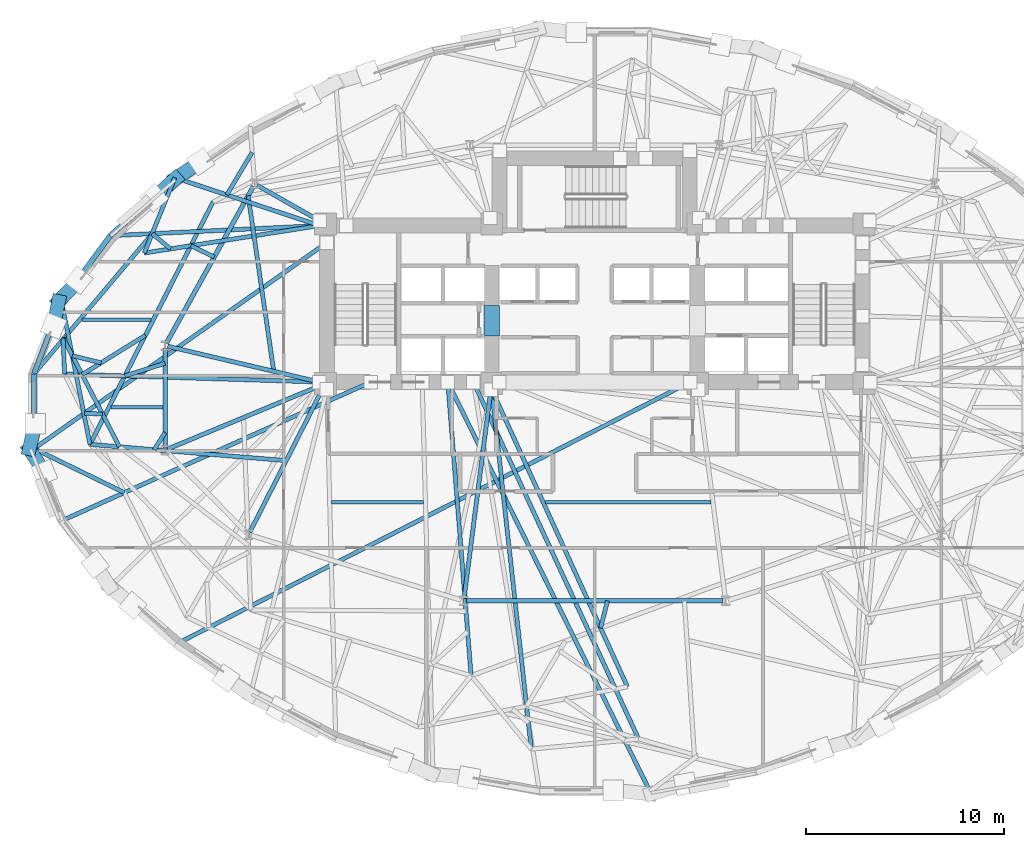
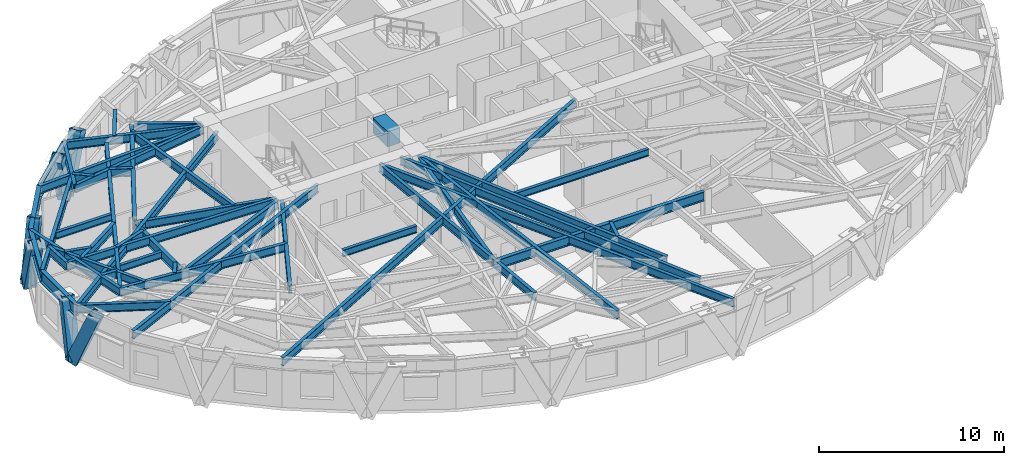
# One storey, part 2 of 15: 47 beams, 6 members.
"""IFC4 building model written with IfcOpenShell, lengths in metres."""

from ifc_helpers import new_model, si_unit, direction, frame, origin, origin_2d, place, context, subcontext, project, spatial, rectangle, hollow_rectangle, i_section, extrude, material, material_profile, profile_set, type_object, element, save


model = new_model("IFC4")

# Units and contexts
model_context = context("Model", 3, precision=1e-05, world=origin(), true_north=direction((0.0, 1.0)))
body_context = subcontext(model_context, "Body", "Model", "MODEL_VIEW")
ifc_project = project(units=[si_unit("LENGTHUNIT", "METRE"), si_unit("AREAUNIT", "SQUARE_METRE"), si_unit("VOLUMEUNIT", "CUBIC_METRE"), si_unit("PLANEANGLEUNIT", "RADIAN"), si_unit("MASSUNIT", "GRAM", prefix="KILO")], contexts=[model_context])

# Site, building, storey
site_placement = place(None, origin())
site = spatial("IfcSite", under=ifc_project, at=site_placement, CompositionType="ELEMENT")
building_placement = place(site_placement, origin())
building = spatial("IfcBuilding", under=site, at=building_placement, Name="Keldmark Tower", CompositionType="ELEMENT")
storey_placement = place(building_placement, frame((0.0, 0.0, 93.10009765625)))
storey = spatial("IfcBuildingStorey", under=building, at=storey_placement, Name="L24", CompositionType="ELEMENT", Elevation=93.10009765625)

# Beams
ifc_material_1 = material(Name="Steel ASTM A992 Grade 50", Category="steel")
ifc_material_profile_1 = material_profile(ifc_material_1, i_section(OverallWidth=0.19091796875, OverallDepth=0.45703125, WebThickness=0.009033203125, FlangeThickness=0.014404296875, at=origin_2d()), Name="W18X50")
ifc_profile_set_1 = profile_set([ifc_material_profile_1], Name="Steel ASTM A992 Grade 50")
beam_type_1 = type_object("IfcBeamType", Name="Composite Floor Joist W18X50", PredefinedType="JOIST", material=ifc_profile_set_1)
beam_1_placement = place(storey_placement, frame((-13.2841796875, -4.60009765625, 3.081298828125), z_axis=(1.0, 0.0, 0.0), x_axis=(0.0, 1.0, 0.0)))
element("IfcBeam", 1, at=beam_1_placement, inside=storey, type_object=beam_type_1, Name="L24 Composite Floor Joist J01", PredefinedType="JOIST", context=body_context, shape_type="SweptSolid", body=[
    extrude(i_section(OverallWidth=0.19091796875, OverallDepth=0.45703125, WebThickness=0.009033203125, FlangeThickness=0.014404296875, at=origin_2d()), origin(), (0.0, 0.0, 1.0), 4.64208984375),
])
beam_2_placement = place(storey_placement, frame((-2.492431640625, -4.60009765625, 3.081298828125), z_axis=(1.0, 0.0, 0.0), x_axis=(0.0, 1.0, 0.0)))
element("IfcBeam", 2, at=beam_2_placement, inside=storey, type_object=beam_type_1, Name="L24 Composite Floor Joist J02", PredefinedType="JOIST", context=body_context, shape_type="SweptSolid", body=[
    extrude(i_section(OverallWidth=0.19091796875, OverallDepth=0.45703125, WebThickness=0.009033203125, FlangeThickness=0.014404296875, at=origin_2d()), origin(), (0.0, 0.0, 1.0), 8.36572265625),
])
beam_3_placement = place(storey_placement, frame((-24.42431640625, 0.199951171875, 3.081298828125), z_axis=(1.0, 0.0, 0.0), x_axis=(0.0, 1.0, 0.0)))
element("IfcBeam", 3, at=beam_3_placement, inside=storey, type_object=beam_type_1, Name="L24 Composite Floor Joist J04", PredefinedType="JOIST", context=body_context, shape_type="SweptSolid", body=[
    extrude(i_section(OverallWidth=0.19091796875, OverallDepth=0.45703125, WebThickness=0.009033203125, FlangeThickness=0.014404296875, at=origin_2d()), origin(), (0.0, 0.0, 1.0), 2.621826171875),
])
beam_4_placement = place(storey_placement, frame((-25.88037109375, 4.6201171875, 3.081298828125), z_axis=(1.0, 0.0, 0.0), x_axis=(0.0, 1.0, 0.0)))
element("IfcBeam", 4, at=beam_4_placement, inside=storey, type_object=beam_type_1, Name="L24 Composite Floor Joist J06", PredefinedType="JOIST", context=body_context, shape_type="SweptSolid", body=[
    extrude(i_section(OverallWidth=0.19091796875, OverallDepth=0.45703125, WebThickness=0.009033203125, FlangeThickness=0.014404296875, at=origin_2d()), origin(), (0.0, 0.0, 1.0), 3.482177734375),
])
ifc_material_2 = material(Name="Concrete C70/85", Category="concrete")
ifc_material_profile_2 = material_profile(ifc_material_2, rectangle(XDim=0.800048828125, YDim=1.0, at=origin_2d()), Name="RCB800X1000")
ifc_profile_set_2 = profile_set([ifc_material_profile_2], Name="Concrete C70/85")
beam_type_2 = type_object("IfcBeamType", Name="Core Coupling Beam RCB800X1000", PredefinedType="USERDEFINED", material=ifc_profile_set_2)
beam_5_placement = place(storey_placement, frame((-5.199951171875, 3.800048828125, 2.809814453125), z_axis=(0.0, 1.0, 0.0), x_axis=(-1.0, 0.0, 0.0)))
element("IfcBeam", 5, at=beam_5_placement, inside=storey, type_object=beam_type_2, Name="L24 West Core Coupling Beam", ObjectType="COUPLING BEAM", PredefinedType="USERDEFINED", context=body_context, shape_type="SweptSolid", body=[
    extrude(rectangle(XDim=0.800048828125, YDim=1.0, at=origin_2d()), origin(), (0.0, 0.0, 1.0), 1.550048828125),
])

# Members
ifc_material_3 = material(Name="Steel ASTM A572 Grade 50", Category="steel")
ifc_material_profile_3 = material_profile(ifc_material_3, hollow_rectangle(XDim=0.699951171875, YDim=0.699951171875, WallThickness=0.054931640625, at=origin_2d()), Name="BOX700X700X55")
ifc_profile_set_3 = profile_set([ifc_material_profile_3], Name="Steel ASTM A572 Grade 50")
member_type = type_object("IfcMemberType", Name="Diagrid Zone 1 Brace BOX700X700X55", PredefinedType="BRACE", material=ifc_profile_set_3)
member_1_placement = place(storey_placement, frame((-21.16943359375, 11.751220703125, -0.27001953125), z_axis=(0.336388011128, 0.22621529339, 0.914149739925), x_axis=(-0.558037263463, 0.829815890778, 0.0)))
element("IfcMember", 6, at=member_1_placement, inside=storey, type_object=member_type, Name="L24 Perimeter Diagrid Brace 06B", PredefinedType="BRACE", context=body_context, shape_type="SweptSolid", body=[
    extrude(hollow_rectangle(XDim=0.699951171875, YDim=0.699951171875, WallThickness=0.054931640625, at=origin_2d()), origin(), (0.0, 0.0, 1.0), 3.784912109375),
])
member_2_placement = place(storey_placement, frame((-21.1611328125, 11.759521484375, -0.27001953125), z_axis=(-0.288013107273, -0.260967181173, 0.921381886293), x_axis=(0.671456277995, -0.741044173273, 0.0)))
element("IfcMember", 7, at=member_2_placement, inside=storey, type_object=member_type, Name="L24 Perimeter Diagrid Brace 07A", PredefinedType="BRACE", context=body_context, shape_type="SweptSolid", body=[
    extrude(hollow_rectangle(XDim=0.699951171875, YDim=0.699951171875, WallThickness=0.054931640625, at=origin_2d()), origin(), (0.0, 0.0, 1.0), 3.755126953125),
])
member_3_placement = place(storey_placement, frame((-27.07470703125, 5.5498046875, -0.27001953125), z_axis=(0.271688617998, 0.28375789981, 0.919601407755), x_axis=(-0.722300988168, 0.691578833172, 0.0)))
element("IfcMember", 8, at=member_3_placement, inside=storey, type_object=member_type, Name="L24 Perimeter Diagrid Brace 07B", PredefinedType="BRACE", context=body_context, shape_type="SweptSolid", body=[
    extrude(hollow_rectangle(XDim=0.699951171875, YDim=0.699951171875, WallThickness=0.054931640625, at=origin_2d()), origin(), (0.0, 0.0, 1.0), 3.762451171875),
])
member_4_placement = place(storey_placement, frame((-27.0703125, 5.560791015625, -0.27001953125), z_axis=(-0.070587021727, -0.340630341962, 0.937543834974), x_axis=(0.97919661889, -0.202913729337, 0.0)))
element("IfcMember", 9, at=member_4_placement, inside=storey, type_object=member_type, Name="L24 Perimeter Diagrid Brace 08A", PredefinedType="BRACE", context=body_context, shape_type="SweptSolid", body=[
    extrude(hollow_rectangle(XDim=0.699951171875, YDim=0.699951171875, WallThickness=0.054931640625, at=origin_2d()), origin(), (0.0, 0.0, 1.0), 3.6904296875),
])
member_5_placement = place(storey_placement, frame((-28.551513671875, -1.916015625, -0.27001953125), z_axis=(0.080671987459, 0.345840744275, 0.934818811342), x_axis=(-0.973856278511, 0.227165025485, 0.0)))
element("IfcMember", 10, at=member_5_placement, inside=storey, type_object=member_type, Name="L24 Perimeter Diagrid Brace 08B", PredefinedType="BRACE", context=body_context, shape_type="SweptSolid", body=[
    extrude(hollow_rectangle(XDim=0.699951171875, YDim=0.699951171875, WallThickness=0.054931640625, at=origin_2d()), origin(), (0.0, 0.0, 1.0), 3.701171875),
])
member_6_placement = place(storey_placement, frame((-28.551513671875, -1.904296875, -0.27001953125), z_axis=(0.203466548017, -0.319761131464, 0.925394068839), x_axis=(0.843682769413, 0.536842048089, 0.0)))
element("IfcMember", 11, at=member_6_placement, inside=storey, type_object=member_type, Name="L24 Perimeter Diagrid Brace 09A", PredefinedType="BRACE", context=body_context, shape_type="SweptSolid", body=[
    extrude(hollow_rectangle(XDim=0.699951171875, YDim=0.699951171875, WallThickness=0.054931640625, at=origin_2d()), origin(), (0.0, 0.0, 1.0), 3.739013671875),
])

# Beams
ifc_material_4 = material(Name="Steel ASTM A992 Grade 50", Category="steel")
ifc_material_profile_4 = material_profile(ifc_material_4, i_section(OverallWidth=0.22900390625, OverallDepth=0.612060546875, WebThickness=0.011962890625, FlangeThickness=0.01953125, at=origin_2d()), Name="W24X84")
ifc_profile_set_4 = profile_set([ifc_material_profile_4], Name="Steel ASTM A992 Grade 50")
beam_type_3 = type_object("IfcBeamType", Name="Primary Floor Girder W24X84", PredefinedType="BEAM", material=ifc_profile_set_4)
beam_6_placement = place(storey_placement, frame((-17.235107421875, 11.35595703125, 3.00390625), z_axis=(-0.484951836703, -0.874540860154, 0.0), x_axis=(0.874540860154, -0.484951836703, 0.0)))
element("IfcBeam", 12, at=beam_6_placement, inside=storey, type_object=beam_type_3, Name="L24 Floor Ring Girder FG-R05", PredefinedType="BEAM", context=body_context, shape_type="SweptSolid", body=[
    extrude(i_section(OverallWidth=0.22900390625, OverallDepth=0.612060546875, WebThickness=0.011962890625, FlangeThickness=0.01953125, at=origin_2d()), origin(), (0.0, 0.0, 1.0), 9.060302734375),
])
beam_7_placement = place(storey_placement, frame((-21.697021484375, 3.169921875, 3.00390625), z_axis=(0.0, -1.0, 0.0), x_axis=(1.0, 0.0, 0.0)))
element("IfcBeam", 13, at=beam_7_placement, inside=storey, type_object=beam_type_3, Name="L24 Floor Ring Girder FG-R06", PredefinedType="BEAM", context=body_context, shape_type="SweptSolid", body=[
    extrude(i_section(OverallWidth=0.22900390625, OverallDepth=0.612060546875, WebThickness=0.011962890625, FlangeThickness=0.01953125, at=origin_2d()), origin(), (0.0, 0.0, 1.0), 4.995849609375),
])
beam_8_placement = place(storey_placement, frame((-6.472900390625, -9.579345703125, 3.00390625), z_axis=(1.0, 0.0, 0.0), x_axis=(0.0, 1.0, 0.0)))
element("IfcBeam", 14, at=beam_8_placement, inside=storey, type_object=beam_type_3, Name="L24 Floor Ring Girder FG-R09", PredefinedType="BEAM", context=body_context, shape_type="SweptSolid", body=[
    extrude(i_section(OverallWidth=0.22900390625, OverallDepth=0.612060546875, WebThickness=0.011962890625, FlangeThickness=0.01953125, at=origin_2d()), origin(), (0.0, 0.0, 1.0), 12.94580078125),
])
ifc_material_5 = material(Name="Steel ASTM A992 Grade 50", Category="steel")
ifc_material_profile_5 = material_profile(ifc_material_5, i_section(OverallWidth=0.2099609375, OverallDepth=0.537109375, WebThickness=0.010986328125, FlangeThickness=0.017333984375, at=origin_2d()), Name="W21X68")
ifc_profile_set_5 = profile_set([ifc_material_profile_5], Name="Steel ASTM A992 Grade 50")
beam_type_4 = type_object("IfcBeamType", Name="Radial Tie Girder W21X68", PredefinedType="BEAM", material=ifc_profile_set_5)
beam_9_placement = place(storey_placement, frame((-16.206298828125, 2.014892578125, 3.04150390625), z_axis=(-0.144163489117, 0.989553883528, 0.0), x_axis=(-0.989553883528, -0.144163489117, 0.0)))
element("IfcBeam", 15, at=beam_9_placement, inside=storey, type_object=beam_type_4, Name="L24 Framing Pin Header PH-003", PredefinedType="BEAM", context=body_context, shape_type="SweptSolid", body=[
    extrude(i_section(OverallWidth=0.2099609375, OverallDepth=0.537109375, WebThickness=0.010986328125, FlangeThickness=0.017333984375, at=origin_2d()), origin(), (0.0, 0.0, 1.0), 8.960205078125),
])
beam_10_placement = place(storey_placement, frame((-21.697021484375, -1.076416015625, 3.04150390625), z_axis=(-0.531413853681, -0.847112339726, 0.0), x_axis=(0.847112339726, -0.531413853681, 0.0)))
element("IfcBeam", 16, at=beam_10_placement, inside=storey, type_object=beam_type_4, Name="L24 Framing Pin Header PH-004", PredefinedType="BEAM", context=body_context, shape_type="SweptSolid", body=[
    extrude(i_section(OverallWidth=0.2099609375, OverallDepth=0.537109375, WebThickness=0.010986328125, FlangeThickness=0.017333984375, at=origin_2d()), origin(), (0.0, 0.0, 1.0), 1.023193359375),
])
beam_11_placement = place(storey_placement, frame((-15.57958984375, -2.4951171875, 3.04150390625), z_axis=(-0.996585625711, 0.082565674621, 0.0), x_axis=(-0.082565674621, -0.996585625711, 0.0)))
element("IfcBeam", 17, at=beam_11_placement, inside=storey, type_object=beam_type_4, Name="L24 Sub-Ring Step Girder STP1-M07", PredefinedType="BEAM", context=body_context, shape_type="SweptSolid", body=[
    extrude(i_section(OverallWidth=0.2099609375, OverallDepth=0.537109375, WebThickness=0.010986328125, FlangeThickness=0.017333984375, at=origin_2d()), origin(), (0.0, 0.0, 1.0), 9.938232421875),
])
beam_12_placement = place(storey_placement, frame((-7.41796875, 1.47509765625, 3.04150390625), z_axis=(0.079199377951, -0.996858795684, 0.0), x_axis=(0.996858795684, 0.079199377951, 0.0)))
element("IfcBeam", 18, at=beam_12_placement, inside=storey, type_object=beam_type_4, Name="L24 Sub-Ring Step Girder STP1-M09", PredefinedType="BEAM", context=body_context, shape_type="SweptSolid", body=[
    extrude(i_section(OverallWidth=0.2099609375, OverallDepth=0.537109375, WebThickness=0.010986328125, FlangeThickness=0.017333984375, at=origin_2d()), origin(), (0.0, 0.0, 1.0), 14.879638671875),
])
beam_13_placement = place(storey_placement, frame((-19.273681640625, 10.564453125, 3.04150390625), z_axis=(-0.452492601504, -0.891768156857, 0.0), x_axis=(0.891768156857, -0.452492601504, 0.0)))
element("IfcBeam", 19, at=beam_13_placement, inside=storey, type_object=beam_type_4, Name="L24 Perimeter Collector Ring Beam CRG1-M06", PredefinedType="BEAM", context=body_context, shape_type="SweptSolid", body=[
    extrude(i_section(OverallWidth=0.2099609375, OverallDepth=0.537109375, WebThickness=0.010986328125, FlangeThickness=0.017333984375, at=origin_2d()), origin(), (0.0, 0.0, 1.0), 13.724365234375),
])
beam_14_placement = place(storey_placement, frame((-21.697021484375, 2.42041015625, 3.04150390625), z_axis=(-0.954005886416, -0.299787872809, 0.0), x_axis=(0.299787872809, -0.954005886416, 0.0)))
element("IfcBeam", 20, at=beam_14_placement, inside=storey, type_object=beam_type_4, Name="L24 Framing Pin Header PH-009", PredefinedType="BEAM", context=body_context, shape_type="SweptSolid", body=[
    extrude(i_section(OverallWidth=0.2099609375, OverallDepth=0.537109375, WebThickness=0.010986328125, FlangeThickness=0.017333984375, at=origin_2d()), origin(), (0.0, 0.0, 1.0), 2.13134765625),
])
beam_15_placement = place(storey_placement, frame((-13.89990234375, 1.47509765625, 3.04150390625), z_axis=(-0.999514423073, 0.031159558225, 0.0), x_axis=(-0.031159558225, -0.999514423073, 0.0)))
element("IfcBeam", 21, at=beam_15_placement, inside=storey, type_object=beam_type_4, Name="L24 Sub-Ring Step Girder STP2-M07", PredefinedType="BEAM", context=body_context, shape_type="SweptSolid", body=[
    extrude(i_section(OverallWidth=0.2099609375, OverallDepth=0.537109375, WebThickness=0.010986328125, FlangeThickness=0.017333984375, at=origin_2d()), origin(), (0.0, 0.0, 1.0), 12.873291015625),
])
beam_16_placement = place(storey_placement, frame((0.647216796875, -9.579345703125, 3.04150390625), z_axis=(-0.24590663993, -0.969293518207, 0.0), x_axis=(0.969293518207, -0.24590663993, 0.0)))
element("IfcBeam", 22, at=beam_16_placement, inside=storey, type_object=beam_type_4, Name="L24 Framing Pin Header PH-012", PredefinedType="BEAM", context=body_context, shape_type="SweptSolid", body=[
    extrude(i_section(OverallWidth=0.2099609375, OverallDepth=0.537109375, WebThickness=0.010986328125, FlangeThickness=0.017333984375, at=origin_2d()), origin(), (0.0, 0.0, 1.0), 1.413818359375),
])
beam_17_placement = place(storey_placement, frame((-5.199951171875, 1.10009765625, 3.04150390625), z_axis=(0.415193353109, -0.9097331914, 0.0), x_axis=(0.9097331914, 0.415193353109, 0.0)))
element("IfcBeam", 23, at=beam_17_placement, inside=storey, type_object=beam_type_4, Name="L24 Sub-Ring Step Girder STP2-M10", PredefinedType="BEAM", context=body_context, shape_type="SweptSolid", body=[
    extrude(i_section(OverallWidth=0.2099609375, OverallDepth=0.537109375, WebThickness=0.010986328125, FlangeThickness=0.017333984375, at=origin_2d()), origin(), (0.0, 0.0, 1.0), 16.50439453125),
])
beam_18_placement = place(storey_placement, frame((-17.294921875, 13.069580078125, 3.04150390625), z_axis=(-0.514682451343, -0.857380880519, 0.0), x_axis=(0.857380880519, -0.514682451343, 0.0)))
element("IfcBeam", 24, at=beam_18_placement, inside=storey, type_object=beam_type_4, Name="L24 Framing Pin Header PH-022", PredefinedType="BEAM", context=body_context, shape_type="SweptSolid", body=[
    extrude(i_section(OverallWidth=0.2099609375, OverallDepth=0.537109375, WebThickness=0.010986328125, FlangeThickness=0.017333984375, at=origin_2d()), origin(), (0.0, 0.0, 1.0), 2.499755859375),
])
beam_19_placement = place(storey_placement, frame((-13.89990234375, 9.375, 3.04150390625), z_axis=(-0.949237259758, 0.314561003125, 0.0), x_axis=(-0.314561003125, -0.949237259758, 0.0)))
element("IfcBeam", 25, at=beam_19_placement, inside=storey, type_object=beam_type_4, Name="L24 Perimeter Radial Tie Girder RT-13", PredefinedType="BEAM", context=body_context, shape_type="SweptSolid", body=[
    extrude(i_section(OverallWidth=0.2099609375, OverallDepth=0.537109375, WebThickness=0.010986328125, FlangeThickness=0.017333984375, at=origin_2d()), origin(), (0.0, 0.0, 1.0), 7.692138671875),
])
beam_20_placement = place(storey_placement, frame((-19.21240234375, 7.790283203125, 3.04150390625), z_axis=(-0.901034034305, 0.433748393685, 0.0), x_axis=(-0.433748393685, -0.901034034305, 0.0)))
element("IfcBeam", 26, at=beam_20_placement, inside=storey, type_object=beam_type_4, Name="L24 Framing Pin Header PH-023", PredefinedType="BEAM", context=body_context, shape_type="SweptSolid", body=[
    extrude(i_section(OverallWidth=0.2099609375, OverallDepth=0.537109375, WebThickness=0.010986328125, FlangeThickness=0.017333984375, at=origin_2d()), origin(), (0.0, 0.0, 1.0), 1.310302734375),
])
beam_21_placement = place(storey_placement, frame((-13.89990234375, 9.375, 3.04150390625), z_axis=(-0.987969093416, -0.154651448282, 0.0), x_axis=(0.154651448282, -0.987969093416, 0.0)))
element("IfcBeam", 27, at=beam_21_placement, inside=storey, type_object=beam_type_4, Name="L24 Intermediate Radial Step Girder RT-14M", PredefinedType="BEAM", context=body_context, shape_type="SweptSolid", body=[
    extrude(i_section(OverallWidth=0.2099609375, OverallDepth=0.537109375, WebThickness=0.010986328125, FlangeThickness=0.017333984375, at=origin_2d()), origin(), (0.0, 0.0, 1.0), 8.950927734375),
])
beam_22_placement = place(storey_placement, frame((-21.20166015625, 11.794677734375, 3.04150390625), z_axis=(-0.375571176373, -0.926793553861, 0.0), x_axis=(0.926793553861, -0.375571176373, 0.0)))
element("IfcBeam", 28, at=beam_22_placement, inside=storey, type_object=beam_type_4, Name="L24 Local Collector Chord RT-14C", PredefinedType="BEAM", context=body_context, shape_type="SweptSolid", body=[
    extrude(i_section(OverallWidth=0.2099609375, OverallDepth=0.537109375, WebThickness=0.010986328125, FlangeThickness=0.017333984375, at=origin_2d()), origin(), (0.0, 0.0, 1.0), 4.1044921875),
])
beam_23_placement = place(storey_placement, frame((-21.416748046875, 8.198486328125, 3.04150390625), z_axis=(-0.771527172544, 0.636196370648, 0.0), x_axis=(-0.636196370648, -0.771527172544, 0.0)))
element("IfcBeam", 29, at=beam_23_placement, inside=storey, type_object=beam_type_4, Name="L24 Framing Pin Header PH-024", PredefinedType="BEAM", context=body_context, shape_type="SweptSolid", body=[
    extrude(i_section(OverallWidth=0.2099609375, OverallDepth=0.537109375, WebThickness=0.010986328125, FlangeThickness=0.017333984375, at=origin_2d()), origin(), (0.0, 0.0, 1.0), 1.206787109375),
])
beam_24_placement = place(storey_placement, frame((-13.89990234375, 9.375, 3.04150390625), z_axis=(-0.998832186774, -0.048314207694, 0.0), x_axis=(0.048314207694, -0.998832186774, 0.0)))
element("IfcBeam", 30, at=beam_24_placement, inside=storey, type_object=beam_type_4, Name="L24 Perimeter Radial Tie Girder RT-14", PredefinedType="BEAM", context=body_context, shape_type="SweptSolid", body=[
    extrude(i_section(OverallWidth=0.2099609375, OverallDepth=0.537109375, WebThickness=0.010986328125, FlangeThickness=0.017333984375, at=origin_2d()), origin(), (0.0, 0.0, 1.0), 10.576416015625),
])
beam_25_placement = place(storey_placement, frame((-22.689208984375, 3.8330078125, 3.04150390625), z_axis=(-0.849547899745, -0.527511484272, 0.0), x_axis=(0.527511484272, -0.849547899745, 0.0)))
element("IfcBeam", 31, at=beam_25_placement, inside=storey, type_object=beam_type_4, Name="L24 Framing Pin Header PH-025", PredefinedType="BEAM", context=body_context, shape_type="SweptSolid", body=[
    extrude(i_section(OverallWidth=0.2099609375, OverallDepth=0.537109375, WebThickness=0.010986328125, FlangeThickness=0.017333984375, at=origin_2d()), origin(), (0.0, 0.0, 1.0), 3.76171875),
])
beam_26_placement = place(storey_placement, frame((-23.998291015625, -1.797607421875, 3.04150390625), z_axis=(-0.459587958151, 0.888132258576, 0.0), x_axis=(-0.888132258576, -0.459587958151, 0.0)))
element("IfcBeam", 32, at=beam_26_placement, inside=storey, type_object=beam_type_4, Name="L24 Intermediate Radial Step Girder RT-15M", PredefinedType="BEAM", context=body_context, shape_type="SweptSolid", body=[
    extrude(i_section(OverallWidth=0.2099609375, OverallDepth=0.537109375, WebThickness=0.010986328125, FlangeThickness=0.017333984375, at=origin_2d()), origin(), (0.0, 0.0, 1.0), 6.197265625),
])
beam_27_placement = place(storey_placement, frame((-26.766845703125, 1.876220703125, 3.04150390625), z_axis=(-0.043448791842, 0.99905565535, 0.0), x_axis=(-0.99905565535, -0.043448791842, 0.0)))
element("IfcBeam", 33, at=beam_27_placement, inside=storey, type_object=beam_type_4, Name="L24 Local Collector Chord RT-15C", PredefinedType="BEAM", context=body_context, shape_type="SweptSolid", body=[
    extrude(i_section(OverallWidth=0.2099609375, OverallDepth=0.537109375, WebThickness=0.010986328125, FlangeThickness=0.017333984375, at=origin_2d()), origin(), (0.0, 0.0, 1.0), 1.831787109375),
])
beam_28_placement = place(storey_placement, frame((-24.926513671875, 2.44384765625, 3.04150390625), z_axis=(-0.970601188925, 0.240693439996, 0.0), x_axis=(-0.240693439996, -0.970601188925, 0.0)))
element("IfcBeam", 34, at=beam_28_placement, inside=storey, type_object=beam_type_4, Name="L24 Framing Pin Header PH-026", PredefinedType="BEAM", context=body_context, shape_type="SweptSolid", body=[
    extrude(i_section(OverallWidth=0.2099609375, OverallDepth=0.537109375, WebThickness=0.010986328125, FlangeThickness=0.017333984375, at=origin_2d()), origin(), (0.0, 0.0, 1.0), 1.4970703125),
])
beam_29_placement = place(storey_placement, frame((-25.48388671875, -1.674560546875, 3.04150390625), z_axis=(-0.196103366479, 0.980583229336, 0.0), x_axis=(-0.980583229336, -0.196103366479, 0.0)))
element("IfcBeam", 35, at=beam_29_placement, inside=storey, type_object=beam_type_4, Name="L24 Perimeter Radial Tie Girder RT-15", PredefinedType="BEAM", context=body_context, shape_type="SweptSolid", body=[
    extrude(i_section(OverallWidth=0.2099609375, OverallDepth=0.537109375, WebThickness=0.010986328125, FlangeThickness=0.017333984375, at=origin_2d()), origin(), (0.0, 0.0, 1.0), 7.35400390625),
])
beam_30_placement = place(storey_placement, frame((-22.35791015625, 8.94189453125, 3.04150390625), z_axis=(-0.645194886398, -0.764018035498, 0.0), x_axis=(0.764018035498, -0.645194886398, 0.0)))
element("IfcBeam", 36, at=beam_30_placement, inside=storey, type_object=beam_type_4, Name="L24 Perimeter Radial Tie Girder RT-16", PredefinedType="BEAM", context=body_context, shape_type="SweptSolid", body=[
    extrude(i_section(OverallWidth=0.2099609375, OverallDepth=0.537109375, WebThickness=0.010986328125, FlangeThickness=0.017333984375, at=origin_2d()), origin(), (0.0, 0.0, 1.0), 9.2294921875),
])
beam_31_placement = place(storey_placement, frame((-24.852783203125, -0.146484375, 3.04150390625), z_axis=(-0.998818332752, 0.048599775297, 0.0), x_axis=(-0.048599775297, -0.998818332752, 0.0)))
element("IfcBeam", 37, at=beam_31_placement, inside=storey, type_object=beam_type_4, Name="L24 Framing Pin Header PH-027", PredefinedType="BEAM", context=body_context, shape_type="SweptSolid", body=[
    extrude(i_section(OverallWidth=0.2099609375, OverallDepth=0.537109375, WebThickness=0.010986328125, FlangeThickness=0.017333984375, at=origin_2d()), origin(), (0.0, 0.0, 1.0), 0.919189453125),
])
beam_32_placement = place(storey_placement, frame((-13.52490234375, 8.514404296875, 3.04150390625), z_axis=(-0.817844781216, -0.575438888013, 0.0), x_axis=(0.575438888013, -0.817844781216, 0.0)))
element("IfcBeam", 38, at=beam_32_placement, inside=storey, type_object=beam_type_4, Name="L24 Perimeter Radial Tie Girder RT-17", PredefinedType="BEAM", context=body_context, shape_type="SweptSolid", body=[
    extrude(i_section(OverallWidth=0.2099609375, OverallDepth=0.537109375, WebThickness=0.010986328125, FlangeThickness=0.017333984375, at=origin_2d()), origin(), (0.0, 0.0, 1.0), 18.08154296875),
])
beam_33_placement = place(storey_placement, frame((-28.312744140625, -1.890380859375, 3.04150390625), z_axis=(0.899027762187, -0.437891633646, 0.0), x_axis=(0.437891633646, 0.899027762187, 0.0)))
element("IfcBeam", 39, at=beam_33_placement, inside=storey, type_object=beam_type_4, Name="L24 Framing Pin Header PH-028", PredefinedType="BEAM", context=body_context, shape_type="SweptSolid", body=[
    extrude(i_section(OverallWidth=0.2099609375, OverallDepth=0.537109375, WebThickness=0.010986328125, FlangeThickness=0.017333984375, at=origin_2d()), origin(), (0.0, 0.0, 1.0), 5.072998046875),
])
beam_34_placement = place(storey_placement, frame((-11.30712890625, 1.47509765625, 3.04150390625), z_axis=(-0.912288018847, -0.409549228625, 0.0), x_axis=(0.409549228625, -0.912288018847, 0.0)))
element("IfcBeam", 40, at=beam_34_placement, inside=storey, type_object=beam_type_4, Name="L24 Perimeter Radial Tie Girder RT-18", PredefinedType="BEAM", context=body_context, shape_type="SweptSolid", body=[
    extrude(i_section(OverallWidth=0.2099609375, OverallDepth=0.537109375, WebThickness=0.010986328125, FlangeThickness=0.017333984375, at=origin_2d()), origin(), (0.0, 0.0, 1.0), 17.12060546875),
])
beam_35_placement = place(storey_placement, frame((4.824951171875, 1.47509765625, 3.04150390625), z_axis=(-0.890888045089, -0.454222953095, 0.0), x_axis=(0.454222953095, -0.890888045089, 0.0)))
element("IfcBeam", 41, at=beam_35_placement, inside=storey, type_object=beam_type_4, Name="L24 Perimeter Radial Tie Girder RT-20", PredefinedType="BEAM", context=body_context, shape_type="SweptSolid", body=[
    extrude(i_section(OverallWidth=0.2099609375, OverallDepth=0.537109375, WebThickness=0.010986328125, FlangeThickness=0.017333984375, at=origin_2d()), origin(), (0.0, 0.0, 1.0), 29.21435546875),
])
beam_36_placement = place(storey_placement, frame((-5.199951171875, 1.10009765625, 3.04150390625), z_axis=(0.109443055307, -0.993993067202, 0.0), x_axis=(0.993993067202, 0.109443055307, 0.0)))
element("IfcBeam", 42, at=beam_36_placement, inside=storey, type_object=beam_type_4, Name="L24 Intermediate Radial Step Girder RT-24M", PredefinedType="BEAM", context=body_context, shape_type="SweptSolid", body=[
    extrude(i_section(OverallWidth=0.2099609375, OverallDepth=0.537109375, WebThickness=0.010986328125, FlangeThickness=0.017333984375, at=origin_2d()), origin(), (0.0, 0.0, 1.0), 18.272216796875),
])
beam_37_placement = place(storey_placement, frame((-6.121337890625, 1.47509765625, 3.04150390625), z_axis=(0.419936325263, -0.907553570168, 0.0), x_axis=(0.907553570168, 0.419936325263, 0.0)))
element("IfcBeam", 43, at=beam_37_placement, inside=storey, type_object=beam_type_4, Name="L24 Intermediate Radial Step Girder RT-25M", PredefinedType="BEAM", context=body_context, shape_type="SweptSolid", body=[
    extrude(i_section(OverallWidth=0.2099609375, OverallDepth=0.537109375, WebThickness=0.010986328125, FlangeThickness=0.017333984375, at=origin_2d()), origin(), (0.0, 0.0, 1.0), 19.864990234375),
])
beam_38_placement = place(storey_placement, frame((-7.41796875, 1.47509765625, 3.04150390625), z_axis=(0.442797763219, -0.896621514848, 0.0), x_axis=(0.896621514848, 0.442797763219, 0.0)))
element("IfcBeam", 44, at=beam_38_placement, inside=storey, type_object=beam_type_4, Name="L24 Perimeter Radial Tie Girder RT-25", PredefinedType="BEAM", context=body_context, shape_type="SweptSolid", body=[
    extrude(i_section(OverallWidth=0.2099609375, OverallDepth=0.537109375, WebThickness=0.010986328125, FlangeThickness=0.017333984375, at=origin_2d()), origin(), (0.0, 0.0, 1.0), 23.050048828125),
])
ifc_material_6 = material(Name="Steel ASTM A992 Grade 50", Category="steel")
ifc_material_profile_6 = material_profile(ifc_material_6, i_section(OverallWidth=0.214111328125, OverallDepth=0.549072265625, WebThickness=0.0146484375, FlangeThickness=0.023681640625, at=origin_2d()), Name="W21X93")
ifc_profile_set_6 = profile_set([ifc_material_profile_6], Name="Steel ASTM A992 Grade 50")
beam_type_5 = type_object("IfcBeamType", Name="Radial Tie Girder W21X93", PredefinedType="BEAM", material=ifc_profile_set_6)
beam_39_placement = place(storey_placement, frame((-17.04541015625, 11.4091796875, 3.035400390625), z_axis=(0.86928447329, -0.494312152892, 0.0), x_axis=(0.494312152892, 0.86928447329, 0.0)))
element("IfcBeam", 45, at=beam_39_placement, inside=storey, type_object=beam_type_5, Name="L24 Floor Radial Girder FG-C05", PredefinedType="BEAM", context=body_context, shape_type="SweptSolid", body=[
    extrude(i_section(OverallWidth=0.214111328125, OverallDepth=0.549072265625, WebThickness=0.0146484375, FlangeThickness=0.023681640625, at=origin_2d()), origin(), (0.0, 0.0, 1.0), 3.6435546875),
])
beam_40_placement = place(storey_placement, frame((-21.560546875, 3.27783203125, 3.035400390625), z_axis=(0.973283778272, -0.229605502879, 0.0), x_axis=(0.229605502879, 0.973283778272, 0.0)))
element("IfcBeam", 46, at=beam_40_placement, inside=storey, type_object=beam_type_5, Name="L24 Floor Radial Girder FG-C06", PredefinedType="BEAM", context=body_context, shape_type="SweptSolid", body=[
    extrude(i_section(OverallWidth=0.214111328125, OverallDepth=0.549072265625, WebThickness=0.0146484375, FlangeThickness=0.023681640625, at=origin_2d()), origin(), (0.0, 0.0, 1.0), 7.85888671875),
])
beam_41_placement = place(storey_placement, frame((-21.567626953125, -1.912109375, 3.035400390625), z_axis=(0.923397393633, 0.383845350932, 0.0), x_axis=(-0.383845350932, 0.923397393633, 0.0)))
element("IfcBeam", 47, at=beam_41_placement, inside=storey, type_object=beam_type_5, Name="L24 Floor Radial Girder FG-C07", PredefinedType="BEAM", context=body_context, shape_type="SweptSolid", body=[
    extrude(i_section(OverallWidth=0.214111328125, OverallDepth=0.549072265625, WebThickness=0.0146484375, FlangeThickness=0.023681640625, at=origin_2d()), origin(), (0.0, 0.0, 1.0), 8.30859375),
])
beam_42_placement = place(storey_placement, frame((-17.413818359375, -6.104736328125, 3.035400390625), z_axis=(0.453028637759, 0.891495963743, 0.0), x_axis=(-0.891495963743, 0.453028637759, 0.0)))
element("IfcBeam", 48, at=beam_42_placement, inside=storey, type_object=beam_type_5, Name="L24 Floor Radial Girder FG-C08", PredefinedType="BEAM", context=body_context, shape_type="SweptSolid", body=[
    extrude(i_section(OverallWidth=0.214111328125, OverallDepth=0.549072265625, WebThickness=0.0146484375, FlangeThickness=0.023681640625, at=origin_2d()), origin(), (0.0, 0.0, 1.0), 8.09814453125),
])
beam_43_placement = place(storey_placement, frame((-6.594970703125, -9.4404296875, 3.035400390625), z_axis=(0.127642040045, 0.991820301069, 0.0), x_axis=(-0.991820301069, 0.127642040045, 0.0)))
element("IfcBeam", 49, at=beam_43_placement, inside=storey, type_object=beam_type_5, Name="L24 Floor Radial Girder FG-C09", PredefinedType="BEAM", context=body_context, shape_type="SweptSolid", body=[
    extrude(i_section(OverallWidth=0.214111328125, OverallDepth=0.549072265625, WebThickness=0.0146484375, FlangeThickness=0.023681640625, at=origin_2d()), origin(), (0.0, 0.0, 1.0), 10.609619140625),
])
ifc_material_7 = material(Name="Steel ASTM A992 Grade 50", Category="steel")
ifc_material_profile_7 = material_profile(ifc_material_7, i_section(OverallWidth=0.26806640625, OverallDepth=0.77001953125, WebThickness=0.015625, FlangeThickness=0.025390625, at=origin_2d()), Name="W30X132")
ifc_profile_set_7 = profile_set([ifc_material_profile_7], Name="Steel ASTM A992 Grade 50")
beam_type_6 = type_object("IfcBeamType", Name="Spandrel Ring Beam W30X132", PredefinedType="SPANDREL", material=ifc_profile_set_7)
beam_44_placement = place(storey_placement, frame((-21.20166015625, 11.794677734375, 2.9248046875), z_axis=(-0.743897322515, -0.668293927516, 0.0), x_axis=(0.668293927516, -0.743897322515, 0.0)))
element("IfcBeam", 50, at=beam_44_placement, inside=storey, type_object=beam_type_6, Name="L24 Perimeter Spandrel Ring Beam SRB-13", PredefinedType="SPANDREL", context=body_context, shape_type="SweptSolid", body=[
    extrude(i_section(OverallWidth=0.26806640625, OverallDepth=0.77001953125, WebThickness=0.015625, FlangeThickness=0.025390625, at=origin_2d()), origin(), (0.0, 0.0, 1.0), 4.38525390625),
])
beam_45_placement = place(storey_placement, frame((-24.4638671875, 8.864013671875, 2.9248046875), z_axis=(-0.594825474023, -0.803854872133, 0.0), x_axis=(0.803854872133, -0.594825474023, 0.0)))
element("IfcBeam", 51, at=beam_45_placement, inside=storey, type_object=beam_type_6, Name="L24 Perimeter Spandrel Ring Beam SRB-14", PredefinedType="SPANDREL", context=body_context, shape_type="SweptSolid", body=[
    extrude(i_section(OverallWidth=0.26806640625, OverallDepth=0.77001953125, WebThickness=0.015625, FlangeThickness=0.025390625, at=origin_2d()), origin(), (0.0, 0.0, 1.0), 4.139404296875),
])
beam_46_placement = place(storey_placement, frame((-26.926025390625, 5.53662109375, 2.9248046875), z_axis=(-0.35547477521, -0.934685874607, 0.0), x_axis=(0.934685874607, -0.35547477521, 0.0)))
element("IfcBeam", 52, at=beam_46_placement, inside=storey, type_object=beam_type_6, Name="L24 Perimeter Spandrel Ring Beam SRB-15", PredefinedType="SPANDREL", context=body_context, shape_type="SweptSolid", body=[
    extrude(i_section(OverallWidth=0.26806640625, OverallDepth=0.77001953125, WebThickness=0.015625, FlangeThickness=0.025390625, at=origin_2d()), origin(), (0.0, 0.0, 1.0), 3.901123046875),
])
beam_47_placement = place(storey_placement, frame((-28.312744140625, 1.890380859375, 2.9248046875), z_axis=(0.0, -1.0, 0.0), x_axis=(1.0, 0.0, 0.0)))
element("IfcBeam", 53, at=beam_47_placement, inside=storey, type_object=beam_type_6, Name="L24 Perimeter Spandrel Ring Beam SRB-16", PredefinedType="SPANDREL", context=body_context, shape_type="SweptSolid", body=[
    extrude(i_section(OverallWidth=0.26806640625, OverallDepth=0.77001953125, WebThickness=0.015625, FlangeThickness=0.025390625, at=origin_2d()), origin(), (0.0, 0.0, 1.0), 3.78076171875),
])

save(model, "model.ifc")
